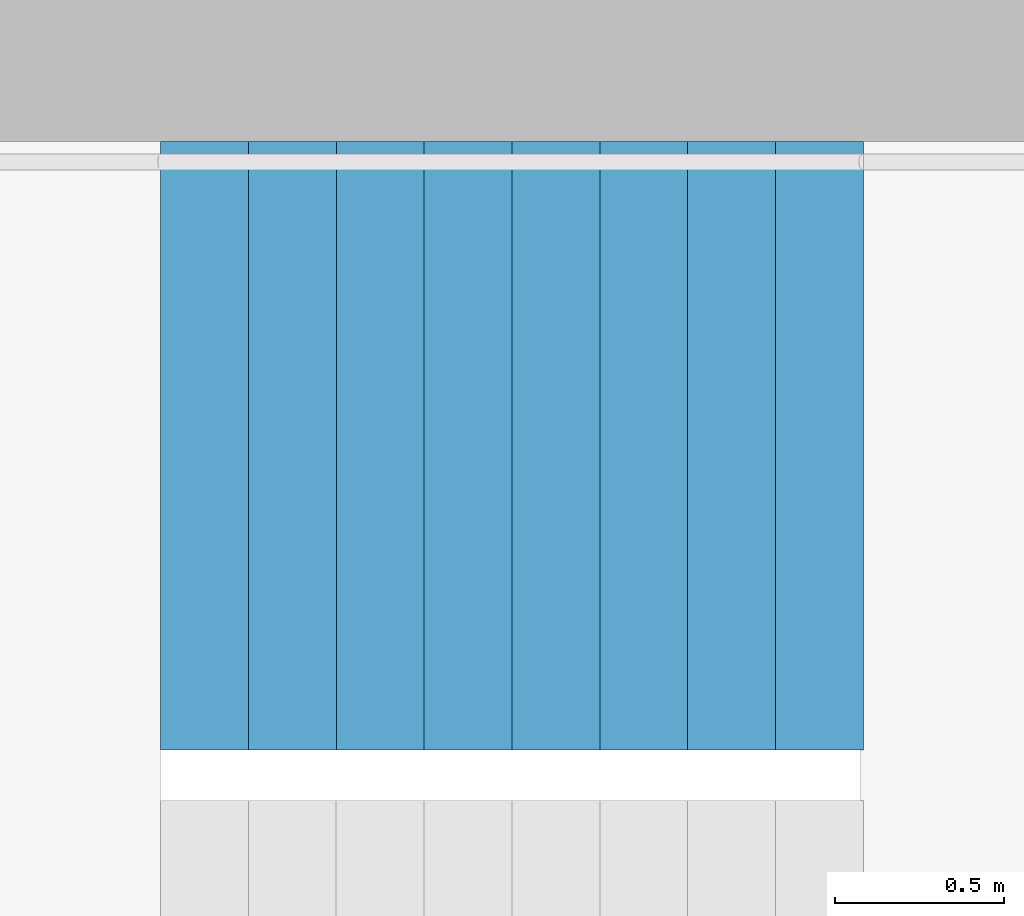
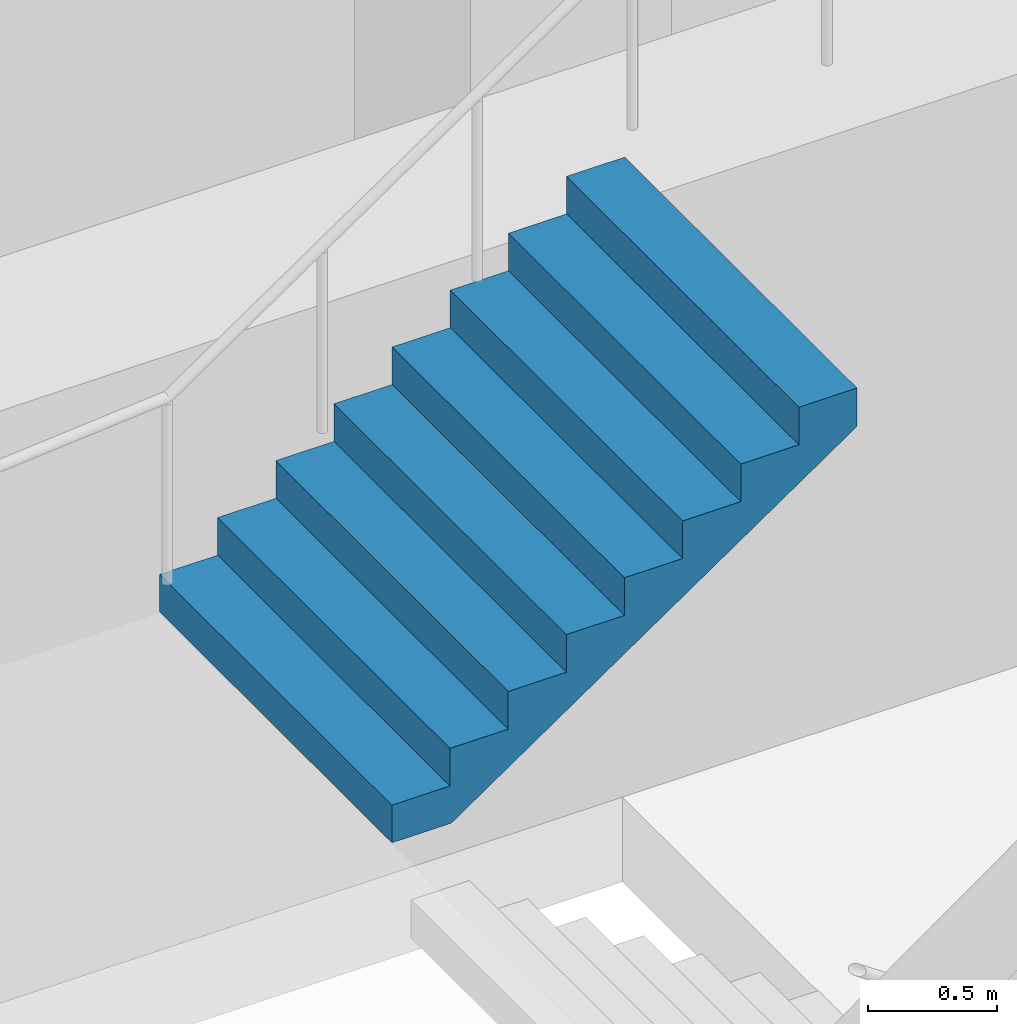
# One storey, part 27 of 34: 1 stair flight, 1 element without a shape of its own.
"""IFC4 building model written with IfcOpenShell, lengths in metres."""

import ifcopenshell
import ifcopenshell.guid

model = None  # the IFC model being written
_history = None  # IfcOwnerHistory: only IFC2X3 demands one
_inside = {}  # id of a spatial element -> (the spatial element, [elements in it])
_under = {}  # id of a project, library or spatial element -> (it, [spatial elements below it])
_declared = {}  # id of a project -> (the project, [libraries it declares])
_typed = {}  # id of a type object -> (the type object, [elements of that type])
_made_of = {}  # id of a material, layer set ... -> (it, [elements and type objects made of it])


def new_model(schema):
    """Start an empty IFC model of exactly this schema.

    Asked for "IFC4X3", IfcOpenShell would pick the latest addendum, in which some entities
    have other attributes; the version numbers below select the first issue.
    IFC2X3 requires an IfcOwnerHistory on every rooted entity: one is made here for all.
    """
    global model, _history
    if schema == "IFC4X3":
        model = ifcopenshell.file(schema_version=(4, 3, 0, 0))
    else:
        model = ifcopenshell.file(schema=schema)
    _inside.clear()
    _under.clear()
    _declared.clear()
    _typed.clear()
    _made_of.clear()
    _history = None
    if model.schema == "IFC2X3":
        org = make("IfcOrganization", Name="unknown")
        user = make(
            "IfcPersonAndOrganization",
            ThePerson=make("IfcPerson", FamilyName="unknown"),
            TheOrganization=org,
        )
        app = make(
            "IfcApplication",
            ApplicationDeveloper=org,
            Version="unknown",
            ApplicationFullName="unknown",
            ApplicationIdentifier="unknown",
        )
        _history = make(
            "IfcOwnerHistory",
            OwningUser=user,
            OwningApplication=app,
            ChangeAction="ADDED",
            CreationDate=0,
        )
    return model


def make(cls, **values):
    """One entity of the class cls with the attributes given. An attribute that is None is left unset."""
    return model.create_entity(
        cls, **{name: value for name, value in values.items() if value is not None}
    )


def rooted(cls, **values):
    """An entity with a GlobalId (a new one), such as an element, a storey or a relation."""
    return make(cls, GlobalId=ifcopenshell.guid.new(), OwnerHistory=_history, **values)


def si_unit(unit_type, name, prefix=None):
    """IfcSIUnit, for example si_unit("LENGTHUNIT", "METRE", prefix="MILLI")."""
    return make("IfcSIUnit", UnitType=unit_type, Prefix=prefix, Name=name)


def assignment(units):
    """IfcUnitAssignment: the units of a project."""
    return None if units is None else make("IfcUnitAssignment", Units=units)


def point(xyz):
    """IfcCartesianPoint."""
    return None if xyz is None else make("IfcCartesianPoint", Coordinates=xyz)


def direction(xyz):
    """IfcDirection."""
    return None if xyz is None else make("IfcDirection", DirectionRatios=xyz)


def frame(location, z_axis=None, x_axis=None):
    """IfcAxis2Placement3D, a coordinate frame: its origin and axes. An axis left out is left unset."""
    return make(
        "IfcAxis2Placement3D",
        Location=point(location),
        Axis=direction(z_axis),
        RefDirection=direction(x_axis),
    )


def origin():
    """The frame at (0, 0, 0) with its axes left unset."""
    return frame((0.0, 0.0, 0.0))


def place(relative_to, where):
    """IfcLocalPlacement: puts the frame where relative to a parent placement (None: the world)."""
    return make(
        "IfcLocalPlacement", PlacementRelTo=relative_to, RelativePlacement=where
    )


def context(
    kind, dimensions, precision=None, world=None, true_north=None, identifier=None
):
    """IfcGeometricRepresentationContext, for example the 3D "Model" context."""
    return make(
        "IfcGeometricRepresentationContext",
        ContextIdentifier=identifier,
        ContextType=kind,
        CoordinateSpaceDimension=dimensions,
        Precision=precision,
        WorldCoordinateSystem=world,
        TrueNorth=true_north,
    )


def subcontext(parent, identifier, kind, view, scale=None):
    """IfcGeometricRepresentationSubContext, for example "Body" below "Model"."""
    return make(
        "IfcGeometricRepresentationSubContext",
        ContextIdentifier=identifier,
        ContextType=kind,
        ParentContext=parent,
        TargetScale=scale,
        TargetView=view,
    )


def project(units=None, contexts=None):
    """IfcProject with its units and contexts."""
    return rooted(
        "IfcProject",
        Name="project",
        RepresentationContexts=contexts,
        UnitsInContext=assignment(units),
    )


def spatial(cls, under=None, at=None, **own):
    """A site, building, storey or space (cls), placed at a placement, below another one or the project."""
    s = rooted(cls, ObjectPlacement=at, **own)
    if under is not None:
        _under.setdefault(under.id(), (under, []))[1].append(s)
    return s


def point_list(points):
    """IfcCartesianPointList2D or 3D."""
    cls = (
        "IfcCartesianPointList2D" if len(points[0]) == 2 else "IfcCartesianPointList3D"
    )
    return make(cls, CoordList=points)


def triangles(points, corners, closed=None, point_numbers=None):
    """IfcTriangulatedFaceSet: each triangle names its three corners, points numbered from 1."""
    return make(
        "IfcTriangulatedFaceSet",
        Coordinates=point_list(points),
        Closed=closed,
        CoordIndex=corners,
        PnIndex=point_numbers,
    )


def shape(context_of_items, identifier, shape_type, items):
    """IfcShapeRepresentation: the items that make up one representation, for example the "Body"."""
    return make(
        "IfcShapeRepresentation",
        ContextOfItems=context_of_items,
        RepresentationIdentifier=identifier,
        RepresentationType=shape_type,
        Items=items,
    )


def material(Name=None, Category=None):
    """IfcMaterial."""
    return make("IfcMaterial", Name=Name, Category=Category)


def made_of(thing, what):
    """Note that an element or type object is made of a material, layer set ...; save() writes the relation."""
    if what is not None:
        _made_of.setdefault(what.id(), (what, []))[1].append(thing)
    return thing


def type_object(cls, material=None, **own):
    """A type object (cls), such as IfcWallType, which elements share."""
    return made_of(rooted(cls, **own), material)


def element(
    cls,
    number,
    at=None,
    inside=None,
    cuts=None,
    type_object=None,
    material=None,
    context=None,
    identifier="Body",
    shape_type=None,
    held_by="IfcProductDefinitionShape",
    body=None,
    shapes=None,
    **own,
):
    """One element of the class cls, such as IfcWall. Its Tag is "e" and its number.

    at: its placement. inside: the storey or other place that contains it. cuts: it is an
    opening in that element (IfcRelVoidsElement). A single representation is given by context,
    identifier, shape_type and body (its items); several are given by shapes. held_by: the class
    of the entity that holds the representations. save() writes the other relations.
    """
    e = rooted(cls, Tag="e%d" % number, ObjectPlacement=at, **own)
    if body is not None:
        shapes = [shape(context, identifier, shape_type, body)]
    if shapes is not None:
        e.Representation = make(held_by, Representations=shapes)
    if inside is not None:
        _inside.setdefault(inside.id(), (inside, []))[1].append(e)
    if cuts is not None:
        rooted(
            "IfcRelVoidsElement", RelatingBuildingElement=cuts, RelatedOpeningElement=e
        )
    if type_object is not None:
        _typed.setdefault(type_object.id(), (type_object, []))[1].append(e)
    return made_of(e, material)


def aggregate(whole, parts):
    """IfcRelAggregates: a whole, such as a stair, and the parts it consists of."""
    return rooted("IfcRelAggregates", RelatingObject=whole, RelatedObjects=parts)


def save(model, path):
    """Write the relations noted so far, then the file.

    IfcRelAggregates (storeys below a building ...), IfcRelContainedInSpatialStructure (elements
    in a storey), IfcRelDefinesByType, IfcRelAssociatesMaterial and IfcRelDeclares: one each for
    every whole, place, type object, material and project.
    """
    for whole, parts in _under.values():
        aggregate(whole, parts)
    for where, things in _inside.values():
        rooted(
            "IfcRelContainedInSpatialStructure",
            RelatedElements=things,
            RelatingStructure=where,
        )
    for kind, things in _typed.values():
        rooted("IfcRelDefinesByType", RelatedObjects=things, RelatingType=kind)
    for what, things in _made_of.values():
        rooted("IfcRelAssociatesMaterial", RelatedObjects=things, RelatingMaterial=what)
    for by, libraries in _declared.values():
        rooted("IfcRelDeclares", RelatingContext=by, RelatedDefinitions=libraries)
    model.write(path)


model = new_model("IFC4")

# Units and contexts
model_context = context("Model", 3, precision=1e-05, world=origin(), true_north=direction((0.0, 1.0)))
body_context = subcontext(model_context, "Body", "Model", "MODEL_VIEW")
ifc_project = project(units=[si_unit("LENGTHUNIT", "METRE"), si_unit("AREAUNIT", "SQUARE_METRE"), si_unit("VOLUMEUNIT", "CUBIC_METRE"), si_unit("PLANEANGLEUNIT", "RADIAN"), si_unit("MASSUNIT", "GRAM", prefix="KILO")], contexts=[model_context])

# Site, building, storey
site_placement = place(None, origin())
site = spatial("IfcSite", under=ifc_project, at=site_placement, CompositionType="ELEMENT")
building_placement = place(site_placement, origin())
building = spatial("IfcBuilding", under=site, at=building_placement, Name="Hakoniwa Tower and Hamabe Station Hall", CompositionType="ELEMENT")
storey_placement = place(building_placement, frame((0.0, 0.0, 94.60009765625)))
storey = spatial("IfcBuildingStorey", under=building, at=storey_placement, Name="L26", CompositionType="ELEMENT", Elevation=94.60009765625)

# Stair, stair flight
ifc_material_1 = material(Name="Concrete C40", Category="concrete")
stair_type = type_object("IfcStairType", Name="ESCAPE STAIR 1800", PredefinedType="HALF_TURN_STAIR", material=ifc_material_1)
stair_placement = place(storey_placement, origin())
stair = element("IfcStair", 1, at=stair_placement, inside=storey, type_object=stair_type, Name="Escape stair ST-3 L26", PredefinedType="HALF_TURN_STAIR")
ifc_material_2 = material(Name="Concrete C40", Category="concrete")
stair_flight_type = type_object("IfcStairFlightType", Name="STAIR FLIGHT 1800", PredefinedType="STRAIGHT", material=ifc_material_2)
stair_flight_placement = place(storey_placement, frame((22.320068359375, 6.60009765625, 1.599853515625), z_axis=(0.0, 0.0, 1.0), x_axis=(1.0, 0.0, 0.0)))
stair_flight = element("IfcStairFlight", 2, at=stair_flight_placement, type_object=stair_flight_type, Name="ST-3 flight 2", NumberOfRisers=9, NumberOfTreads=8, PredefinedType="STRAIGHT", RiserHeight=0.177777778, TreadLength=0.26, context=body_context, shape_type="Tessellation", body=[
    triangles([(0.0, 0.89990234375, 0.0), (0.260009765625, 0.89990234375, 0.0), (0.265625, 0.89990234375, 0.0), (0.52001953125, 0.89990234375, 0.174072265625), (0.780029296875, 0.89990234375, 0.351806640625), (1.0400390625, 0.89990234375, 0.529541015625), (1.300048828125, 0.89990234375, 0.707275390625), (1.56005859375, 0.89990234375, 0.885009765625), (1.820068359375, 0.89990234375, 1.062744140625), (2.080078125, 0.89990234375, 1.24072265625), (2.080078125, 0.89990234375, 1.422119140625), (1.820068359375, 0.89990234375, 1.422119140625), (1.820068359375, 0.89990234375, 1.244384765625), (1.56005859375, 0.89990234375, 1.244384765625), (1.56005859375, 0.89990234375, 1.066650390625), (1.300048828125, 0.89990234375, 1.066650390625), (1.300048828125, 0.89990234375, 0.888916015625), (1.0400390625, 0.89990234375, 0.888916015625), (1.0400390625, 0.89990234375, 0.711181640625), (0.780029296875, 0.89990234375, 0.711181640625), (0.780029296875, 0.89990234375, 0.533447265625), (0.52001953125, 0.89990234375, 0.533447265625), (0.52001953125, 0.89990234375, 0.35546875), (0.265625, 0.89990234375, 0.35546875), (0.260009765625, 0.89990234375, 0.35546875), (0.260009765625, 0.89990234375, 0.177734375), (0.0, 0.89990234375, 0.177734375), (0.0, 0.06005859375, 0.0), (0.260009765625, 0.06005859375, 0.0), (0.265625, 0.06005859375, 0.0), (0.52001953125, 0.06005859375, 0.174072265625), (0.780029296875, 0.06005859375, 0.351806640625), (1.0400390625, 0.06005859375, 0.529541015625), (1.300048828125, 0.06005859375, 0.707275390625), (1.56005859375, 0.06005859375, 0.885009765625), (1.820068359375, 0.06005859375, 1.062744140625), (2.080078125, 0.06005859375, 1.24072265625), (2.080078125, 0.06005859375, 1.422119140625), (1.820068359375, 0.06005859375, 1.422119140625), (1.820068359375, 0.06005859375, 1.244384765625), (1.56005859375, 0.06005859375, 1.244384765625), (1.56005859375, 0.06005859375, 1.066650390625), (1.300048828125, 0.06005859375, 1.066650390625), (1.300048828125, 0.06005859375, 0.888916015625), (1.0400390625, 0.06005859375, 0.888916015625), (1.0400390625, 0.06005859375, 0.711181640625), (0.780029296875, 0.06005859375, 0.711181640625), (0.780029296875, 0.06005859375, 0.533447265625), (0.52001953125, 0.06005859375, 0.533447265625), (0.52001953125, 0.06005859375, 0.35546875), (0.265625, 0.06005859375, 0.35546875), (0.260009765625, 0.06005859375, 0.35546875), (0.260009765625, 0.06005859375, 0.177734375), (0.0, 0.06005859375, 0.177734375), (0.0, 0.04296875, 0.0), (0.260009765625, 0.04296875, 0.0), (0.265625, 0.04296875, 0.0), (0.52001953125, 0.04296875, 0.174072265625), (0.780029296875, 0.04296875, 0.351806640625), (1.0400390625, 0.04296875, 0.529541015625), (1.300048828125, 0.04296875, 0.707275390625), (1.56005859375, 0.04296875, 0.885009765625), (1.820068359375, 0.04296875, 1.062744140625), (2.080078125, 0.04296875, 1.24072265625), (2.080078125, 0.04296875, 1.422119140625), (1.820068359375, 0.04296875, 1.422119140625), (1.820068359375, 0.04296875, 1.244384765625), (1.56005859375, 0.04296875, 1.244384765625), (1.56005859375, 0.04296875, 1.066650390625), (1.300048828125, 0.04296875, 1.066650390625), (1.300048828125, 0.04296875, 0.888916015625), (1.0400390625, 0.04296875, 0.888916015625), (1.0400390625, 0.04296875, 0.711181640625), (0.780029296875, 0.04296875, 0.711181640625), (0.780029296875, 0.04296875, 0.533447265625), (0.52001953125, 0.04296875, 0.533447265625), (0.52001953125, 0.04296875, 0.35546875), (0.265625, 0.04296875, 0.35546875), (0.260009765625, 0.04296875, 0.35546875), (0.260009765625, 0.04296875, 0.177734375), (0.0, 0.04296875, 0.177734375), (0.0, 0.025634765625, 0.0), (0.260009765625, 0.025634765625, 0.0), (0.265625, 0.025634765625, 0.0), (0.52001953125, 0.025634765625, 0.174072265625), (0.780029296875, 0.025634765625, 0.351806640625), (1.0400390625, 0.025634765625, 0.529541015625), (1.300048828125, 0.025634765625, 0.707275390625), (1.56005859375, 0.025634765625, 0.885009765625), (1.820068359375, 0.025634765625, 1.062744140625), (2.080078125, 0.025634765625, 1.24072265625), (2.080078125, 0.025634765625, 1.422119140625), (1.820068359375, 0.025634765625, 1.422119140625), (1.820068359375, 0.025634765625, 1.244384765625), (1.56005859375, 0.025634765625, 1.244384765625), (1.56005859375, 0.025634765625, 1.066650390625), (1.300048828125, 0.025634765625, 1.066650390625), (1.300048828125, 0.025634765625, 0.888916015625), (1.0400390625, 0.025634765625, 0.888916015625), (1.0400390625, 0.025634765625, 0.711181640625), (0.780029296875, 0.025634765625, 0.711181640625), (0.780029296875, 0.025634765625, 0.533447265625), (0.52001953125, 0.025634765625, 0.533447265625), (0.52001953125, 0.025634765625, 0.35546875), (0.265625, 0.025634765625, 0.35546875), (0.260009765625, 0.025634765625, 0.35546875), (0.260009765625, 0.025634765625, 0.177734375), (0.0, 0.025634765625, 0.177734375), (0.0, 0.008544921875, 0.0), (0.260009765625, 0.008544921875, 0.0), (0.265625, 0.008544921875, 0.0), (0.52001953125, 0.008544921875, 0.174072265625), (0.780029296875, 0.008544921875, 0.351806640625), (1.0400390625, 0.008544921875, 0.529541015625), (1.300048828125, 0.008544921875, 0.707275390625), (1.56005859375, 0.008544921875, 0.885009765625), (1.820068359375, 0.008544921875, 1.062744140625), (2.080078125, 0.008544921875, 1.24072265625), (2.080078125, 0.008544921875, 1.422119140625), (1.820068359375, 0.008544921875, 1.422119140625), (1.820068359375, 0.008544921875, 1.244384765625), (1.56005859375, 0.008544921875, 1.244384765625), (1.56005859375, 0.008544921875, 1.066650390625), (1.300048828125, 0.008544921875, 1.066650390625), (1.300048828125, 0.008544921875, 0.888916015625), (1.0400390625, 0.008544921875, 0.888916015625), (1.0400390625, 0.008544921875, 0.711181640625), (0.780029296875, 0.008544921875, 0.711181640625), (0.780029296875, 0.008544921875, 0.533447265625), (0.52001953125, 0.008544921875, 0.533447265625), (0.52001953125, 0.008544921875, 0.35546875), (0.265625, 0.008544921875, 0.35546875), (0.260009765625, 0.008544921875, 0.35546875), (0.260009765625, 0.008544921875, 0.177734375), (0.0, 0.008544921875, 0.177734375), (0.0, -0.008544921875, 0.0), (0.260009765625, -0.008544921875, 0.0), (0.265625, -0.008544921875, 0.0), (0.52001953125, -0.008544921875, 0.174072265625), (0.780029296875, -0.008544921875, 0.351806640625), (1.0400390625, -0.008544921875, 0.529541015625), (1.300048828125, -0.008544921875, 0.707275390625), (1.56005859375, -0.008544921875, 0.885009765625), (1.820068359375, -0.008544921875, 1.062744140625), (2.080078125, -0.008544921875, 1.24072265625), (2.080078125, -0.008544921875, 1.422119140625), (1.820068359375, -0.008544921875, 1.422119140625), (1.820068359375, -0.008544921875, 1.244384765625), (1.56005859375, -0.008544921875, 1.244384765625), (1.56005859375, -0.008544921875, 1.066650390625), (1.300048828125, -0.008544921875, 1.066650390625), (1.300048828125, -0.008544921875, 0.888916015625), (1.0400390625, -0.008544921875, 0.888916015625), (1.0400390625, -0.008544921875, 0.711181640625), (0.780029296875, -0.008544921875, 0.711181640625), (0.780029296875, -0.008544921875, 0.533447265625), (0.52001953125, -0.008544921875, 0.533447265625), (0.52001953125, -0.008544921875, 0.35546875), (0.265625, -0.008544921875, 0.35546875), (0.260009765625, -0.008544921875, 0.35546875), (0.260009765625, -0.008544921875, 0.177734375), (0.0, -0.008544921875, 0.177734375), (0.0, -0.025634765625, 0.0), (0.260009765625, -0.025634765625, 0.0), (0.265625, -0.025634765625, 0.0), (0.52001953125, -0.025634765625, 0.174072265625), (0.780029296875, -0.025634765625, 0.351806640625), (1.0400390625, -0.025634765625, 0.529541015625), (1.300048828125, -0.025634765625, 0.707275390625), (1.56005859375, -0.025634765625, 0.885009765625), (1.820068359375, -0.025634765625, 1.062744140625), (2.080078125, -0.025634765625, 1.24072265625), (2.080078125, -0.025634765625, 1.422119140625), (1.820068359375, -0.025634765625, 1.422119140625), (1.820068359375, -0.025634765625, 1.244384765625), (1.56005859375, -0.025634765625, 1.244384765625), (1.56005859375, -0.025634765625, 1.066650390625), (1.300048828125, -0.025634765625, 1.066650390625), (1.300048828125, -0.025634765625, 0.888916015625), (1.0400390625, -0.025634765625, 0.888916015625), (1.0400390625, -0.025634765625, 0.711181640625), (0.780029296875, -0.025634765625, 0.711181640625), (0.780029296875, -0.025634765625, 0.533447265625), (0.52001953125, -0.025634765625, 0.533447265625), (0.52001953125, -0.025634765625, 0.35546875), (0.265625, -0.025634765625, 0.35546875), (0.260009765625, -0.025634765625, 0.35546875), (0.260009765625, -0.025634765625, 0.177734375), (0.0, -0.025634765625, 0.177734375), (0.0, -0.04296875, 0.0), (0.260009765625, -0.04296875, 0.0), (0.265625, -0.04296875, 0.0), (0.52001953125, -0.04296875, 0.174072265625), (0.780029296875, -0.04296875, 0.351806640625), (1.0400390625, -0.04296875, 0.529541015625), (1.300048828125, -0.04296875, 0.707275390625), (1.56005859375, -0.04296875, 0.885009765625), (1.820068359375, -0.04296875, 1.062744140625), (2.080078125, -0.04296875, 1.24072265625), (2.080078125, -0.04296875, 1.422119140625), (1.820068359375, -0.04296875, 1.422119140625), (1.820068359375, -0.04296875, 1.244384765625), (1.56005859375, -0.04296875, 1.244384765625), (1.56005859375, -0.04296875, 1.066650390625), (1.300048828125, -0.04296875, 1.066650390625), (1.300048828125, -0.04296875, 0.888916015625), (1.0400390625, -0.04296875, 0.888916015625), (1.0400390625, -0.04296875, 0.711181640625), (0.780029296875, -0.04296875, 0.711181640625), (0.780029296875, -0.04296875, 0.533447265625), (0.52001953125, -0.04296875, 0.533447265625), (0.52001953125, -0.04296875, 0.35546875), (0.265625, -0.04296875, 0.35546875), (0.260009765625, -0.04296875, 0.35546875), (0.260009765625, -0.04296875, 0.177734375), (0.0, -0.04296875, 0.177734375), (0.0, -0.06005859375, 0.0), (0.260009765625, -0.06005859375, 0.0), (0.265625, -0.06005859375, 0.0), (0.52001953125, -0.06005859375, 0.174072265625), (0.780029296875, -0.06005859375, 0.351806640625), (1.0400390625, -0.06005859375, 0.529541015625), (1.300048828125, -0.06005859375, 0.707275390625), (1.56005859375, -0.06005859375, 0.885009765625), (1.820068359375, -0.06005859375, 1.062744140625), (2.080078125, -0.06005859375, 1.24072265625), (2.080078125, -0.06005859375, 1.422119140625), (1.820068359375, -0.06005859375, 1.422119140625), (1.820068359375, -0.06005859375, 1.244384765625), (1.56005859375, -0.06005859375, 1.244384765625), (1.56005859375, -0.06005859375, 1.066650390625), (1.300048828125, -0.06005859375, 1.066650390625), (1.300048828125, -0.06005859375, 0.888916015625), (1.0400390625, -0.06005859375, 0.888916015625), (1.0400390625, -0.06005859375, 0.711181640625), (0.780029296875, -0.06005859375, 0.711181640625), (0.780029296875, -0.06005859375, 0.533447265625), (0.52001953125, -0.06005859375, 0.533447265625), (0.52001953125, -0.06005859375, 0.35546875), (0.265625, -0.06005859375, 0.35546875), (0.260009765625, -0.06005859375, 0.35546875), (0.260009765625, -0.06005859375, 0.177734375), (0.0, -0.06005859375, 0.177734375), (0.0, -0.89990234375, 0.0), (0.260009765625, -0.89990234375, 0.0), (0.265625, -0.89990234375, 0.0), (0.52001953125, -0.89990234375, 0.174072265625), (0.780029296875, -0.89990234375, 0.351806640625), (1.0400390625, -0.89990234375, 0.529541015625), (1.300048828125, -0.89990234375, 0.707275390625), (1.56005859375, -0.89990234375, 0.885009765625), (1.820068359375, -0.89990234375, 1.062744140625), (2.080078125, -0.89990234375, 1.24072265625), (2.080078125, -0.89990234375, 1.422119140625), (1.820068359375, -0.89990234375, 1.422119140625), (1.820068359375, -0.89990234375, 1.244384765625), (1.56005859375, -0.89990234375, 1.244384765625), (1.56005859375, -0.89990234375, 1.066650390625), (1.300048828125, -0.89990234375, 1.066650390625), (1.300048828125, -0.89990234375, 0.888916015625), (1.0400390625, -0.89990234375, 0.888916015625), (1.0400390625, -0.89990234375, 0.711181640625), (0.780029296875, -0.89990234375, 0.711181640625), (0.780029296875, -0.89990234375, 0.533447265625), (0.52001953125, -0.89990234375, 0.533447265625), (0.52001953125, -0.89990234375, 0.35546875), (0.265625, -0.89990234375, 0.35546875), (0.260009765625, -0.89990234375, 0.35546875), (0.260009765625, -0.89990234375, 0.177734375), (0.0, -0.89990234375, 0.177734375)], [[2, 27, 26], [245, 269, 270], [2, 1, 27], [245, 270, 244], [3, 25, 24], [246, 267, 268], [3, 26, 25], [246, 268, 269], [3, 2, 26], [246, 269, 245], [4, 24, 23], [247, 266, 267], [4, 3, 24], [247, 267, 246], [5, 22, 21], [248, 264, 265], [5, 23, 22], [248, 265, 266], [5, 4, 23], [248, 266, 247], [6, 20, 19], [249, 262, 263], [6, 21, 20], [249, 263, 264], [6, 5, 21], [249, 264, 248], [7, 18, 17], [250, 260, 261], [7, 19, 18], [250, 261, 262], [7, 6, 19], [250, 262, 249], [8, 16, 15], [251, 258, 259], [8, 17, 16], [251, 259, 260], [8, 7, 17], [251, 260, 250], [9, 14, 13], [252, 256, 257], [9, 15, 14], [252, 257, 258], [9, 8, 15], [252, 258, 251], [10, 12, 11], [253, 254, 255], [10, 13, 12], [253, 255, 256], [10, 9, 13], [253, 256, 252], [1, 2, 29], [1, 29, 28], [28, 29, 56], [28, 56, 55], [55, 56, 83], [55, 83, 82], [82, 83, 110], [82, 110, 109], [109, 110, 137], [109, 137, 136], [136, 137, 164], [136, 164, 163], [163, 164, 191], [163, 191, 190], [190, 191, 218], [190, 218, 217], [217, 218, 245], [217, 245, 244], [2, 3, 30], [2, 30, 29], [29, 30, 57], [29, 57, 56], [56, 57, 84], [56, 84, 83], [83, 84, 111], [83, 111, 110], [110, 111, 138], [110, 138, 137], [137, 138, 165], [137, 165, 164], [164, 165, 192], [164, 192, 191], [191, 192, 219], [191, 219, 218], [218, 219, 246], [218, 246, 245], [3, 4, 31], [3, 31, 30], [30, 31, 58], [30, 58, 57], [57, 58, 85], [57, 85, 84], [84, 85, 112], [84, 112, 111], [111, 112, 139], [111, 139, 138], [138, 139, 166], [138, 166, 165], [165, 166, 193], [165, 193, 192], [192, 193, 220], [192, 220, 219], [219, 220, 247], [219, 247, 246], [4, 5, 32], [4, 32, 31], [31, 32, 59], [31, 59, 58], [58, 59, 86], [58, 86, 85], [85, 86, 113], [85, 113, 112], [112, 113, 140], [112, 140, 139], [139, 140, 167], [139, 167, 166], [166, 167, 194], [166, 194, 193], [193, 194, 221], [193, 221, 220], [220, 221, 248], [220, 248, 247], [5, 6, 33], [5, 33, 32], [32, 33, 60], [32, 60, 59], [59, 60, 87], [59, 87, 86], [86, 87, 114], [86, 114, 113], [113, 114, 141], [113, 141, 140], [140, 141, 168], [140, 168, 167], [167, 168, 195], [167, 195, 194], [194, 195, 222], [194, 222, 221], [221, 222, 249], [221, 249, 248], [6, 7, 34], [6, 34, 33], [33, 34, 61], [33, 61, 60], [60, 61, 88], [60, 88, 87], [87, 88, 115], [87, 115, 114], [114, 115, 142], [114, 142, 141], [141, 142, 169], [141, 169, 168], [168, 169, 196], [168, 196, 195], [195, 196, 223], [195, 223, 222], [222, 223, 250], [222, 250, 249], [7, 8, 35], [7, 35, 34], [34, 35, 62], [34, 62, 61], [61, 62, 89], [61, 89, 88], [88, 89, 116], [88, 116, 115], [115, 116, 143], [115, 143, 142], [142, 143, 170], [142, 170, 169], [169, 170, 197], [169, 197, 196], [196, 197, 224], [196, 224, 223], [223, 224, 251], [223, 251, 250], [8, 9, 36], [8, 36, 35], [35, 36, 63], [35, 63, 62], [62, 63, 90], [62, 90, 89], [89, 90, 117], [89, 117, 116], [116, 117, 144], [116, 144, 143], [143, 144, 171], [143, 171, 170], [170, 171, 198], [170, 198, 197], [197, 198, 225], [197, 225, 224], [224, 225, 252], [224, 252, 251], [9, 10, 37], [9, 37, 36], [36, 37, 64], [36, 64, 63], [63, 64, 91], [63, 91, 90], [90, 91, 118], [90, 118, 117], [117, 118, 145], [117, 145, 144], [144, 145, 172], [144, 172, 171], [171, 172, 199], [171, 199, 198], [198, 199, 226], [198, 226, 225], [225, 226, 253], [225, 253, 252], [10, 11, 38], [10, 38, 37], [37, 38, 65], [37, 65, 64], [64, 65, 92], [64, 92, 91], [91, 92, 119], [91, 119, 118], [118, 119, 146], [118, 146, 145], [145, 146, 173], [145, 173, 172], [172, 173, 200], [172, 200, 199], [199, 200, 227], [199, 227, 226], [226, 227, 254], [226, 254, 253], [11, 12, 39], [11, 39, 38], [38, 39, 66], [38, 66, 65], [65, 66, 93], [65, 93, 92], [92, 93, 120], [92, 120, 119], [119, 120, 147], [119, 147, 146], [146, 147, 174], [146, 174, 173], [173, 174, 201], [173, 201, 200], [200, 201, 228], [200, 228, 227], [227, 228, 255], [227, 255, 254], [12, 13, 40], [12, 40, 39], [39, 40, 67], [39, 67, 66], [66, 67, 94], [66, 94, 93], [93, 94, 121], [93, 121, 120], [120, 121, 148], [120, 148, 147], [147, 148, 175], [147, 175, 174], [174, 175, 202], [174, 202, 201], [201, 202, 229], [201, 229, 228], [228, 229, 256], [228, 256, 255], [13, 14, 41], [13, 41, 40], [40, 41, 68], [40, 68, 67], [67, 68, 95], [67, 95, 94], [94, 95, 122], [94, 122, 121], [121, 122, 149], [121, 149, 148], [148, 149, 176], [148, 176, 175], [175, 176, 203], [175, 203, 202], [202, 203, 230], [202, 230, 229], [229, 230, 257], [229, 257, 256], [14, 15, 42], [14, 42, 41], [41, 42, 69], [41, 69, 68], [68, 69, 96], [68, 96, 95], [95, 96, 123], [95, 123, 122], [122, 123, 150], [122, 150, 149], [149, 150, 177], [149, 177, 176], [176, 177, 204], [176, 204, 203], [203, 204, 231], [203, 231, 230], [230, 231, 258], [230, 258, 257], [15, 16, 43], [15, 43, 42], [42, 43, 70], [42, 70, 69], [69, 70, 97], [69, 97, 96], [96, 97, 124], [96, 124, 123], [123, 124, 151], [123, 151, 150], [150, 151, 178], [150, 178, 177], [177, 178, 205], [177, 205, 204], [204, 205, 232], [204, 232, 231], [231, 232, 259], [231, 259, 258], [16, 17, 44], [16, 44, 43], [43, 44, 71], [43, 71, 70], [70, 71, 98], [70, 98, 97], [97, 98, 125], [97, 125, 124], [124, 125, 152], [124, 152, 151], [151, 152, 179], [151, 179, 178], [178, 179, 206], [178, 206, 205], [205, 206, 233], [205, 233, 232], [232, 233, 260], [232, 260, 259], [17, 18, 45], [17, 45, 44], [44, 45, 72], [44, 72, 71], [71, 72, 99], [71, 99, 98], [98, 99, 126], [98, 126, 125], [125, 126, 153], [125, 153, 152], [152, 153, 180], [152, 180, 179], [179, 180, 207], [179, 207, 206], [206, 207, 234], [206, 234, 233], [233, 234, 261], [233, 261, 260], [18, 19, 46], [18, 46, 45], [45, 46, 73], [45, 73, 72], [72, 73, 100], [72, 100, 99], [99, 100, 127], [99, 127, 126], [126, 127, 154], [126, 154, 153], [153, 154, 181], [153, 181, 180], [180, 181, 208], [180, 208, 207], [207, 208, 235], [207, 235, 234], [234, 235, 262], [234, 262, 261], [19, 20, 47], [19, 47, 46], [46, 47, 74], [46, 74, 73], [73, 74, 101], [73, 101, 100], [100, 101, 128], [100, 128, 127], [127, 128, 155], [127, 155, 154], [154, 155, 182], [154, 182, 181], [181, 182, 209], [181, 209, 208], [208, 209, 236], [208, 236, 235], [235, 236, 263], [235, 263, 262], [20, 21, 48], [20, 48, 47], [47, 48, 75], [47, 75, 74], [74, 75, 102], [74, 102, 101], [101, 102, 129], [101, 129, 128], [128, 129, 156], [128, 156, 155], [155, 156, 183], [155, 183, 182], [182, 183, 210], [182, 210, 209], [209, 210, 237], [209, 237, 236], [236, 237, 264], [236, 264, 263], [21, 22, 49], [21, 49, 48], [48, 49, 76], [48, 76, 75], [75, 76, 103], [75, 103, 102], [102, 103, 130], [102, 130, 129], [129, 130, 157], [129, 157, 156], [156, 157, 184], [156, 184, 183], [183, 184, 211], [183, 211, 210], [210, 211, 238], [210, 238, 237], [237, 238, 265], [237, 265, 264], [22, 23, 50], [22, 50, 49], [49, 50, 77], [49, 77, 76], [76, 77, 104], [76, 104, 103], [103, 104, 131], [103, 131, 130], [130, 131, 158], [130, 158, 157], [157, 158, 185], [157, 185, 184], [184, 185, 212], [184, 212, 211], [211, 212, 239], [211, 239, 238], [238, 239, 266], [238, 266, 265], [23, 24, 51], [23, 51, 50], [50, 51, 78], [50, 78, 77], [77, 78, 105], [77, 105, 104], [104, 105, 132], [104, 132, 131], [131, 132, 159], [131, 159, 158], [158, 159, 186], [158, 186, 185], [185, 186, 213], [185, 213, 212], [212, 213, 240], [212, 240, 239], [239, 240, 267], [239, 267, 266], [24, 25, 52], [24, 52, 51], [51, 52, 79], [51, 79, 78], [78, 79, 106], [78, 106, 105], [105, 106, 133], [105, 133, 132], [132, 133, 160], [132, 160, 159], [159, 160, 187], [159, 187, 186], [186, 187, 214], [186, 214, 213], [213, 214, 241], [213, 241, 240], [240, 241, 268], [240, 268, 267], [25, 26, 53], [25, 53, 52], [52, 53, 80], [52, 80, 79], [79, 80, 107], [79, 107, 106], [106, 107, 134], [106, 134, 133], [133, 134, 161], [133, 161, 160], [160, 161, 188], [160, 188, 187], [187, 188, 215], [187, 215, 214], [214, 215, 242], [214, 242, 241], [241, 242, 269], [241, 269, 268], [26, 27, 54], [26, 54, 53], [53, 54, 81], [53, 81, 80], [80, 81, 108], [80, 108, 107], [107, 108, 135], [107, 135, 134], [134, 135, 162], [134, 162, 161], [161, 162, 189], [161, 189, 188], [188, 189, 216], [188, 216, 215], [215, 216, 243], [215, 243, 242], [242, 243, 270], [242, 270, 269], [27, 1, 28], [27, 28, 54], [54, 28, 55], [54, 55, 81], [81, 55, 82], [81, 82, 108], [108, 82, 109], [108, 109, 135], [135, 109, 136], [135, 136, 162], [162, 136, 163], [162, 163, 189], [189, 163, 190], [189, 190, 216], [216, 190, 217], [216, 217, 243], [243, 217, 244], [243, 244, 270]], closed=True),
])
aggregate(stair, [stair_flight])

save(model, "model.ifc")
